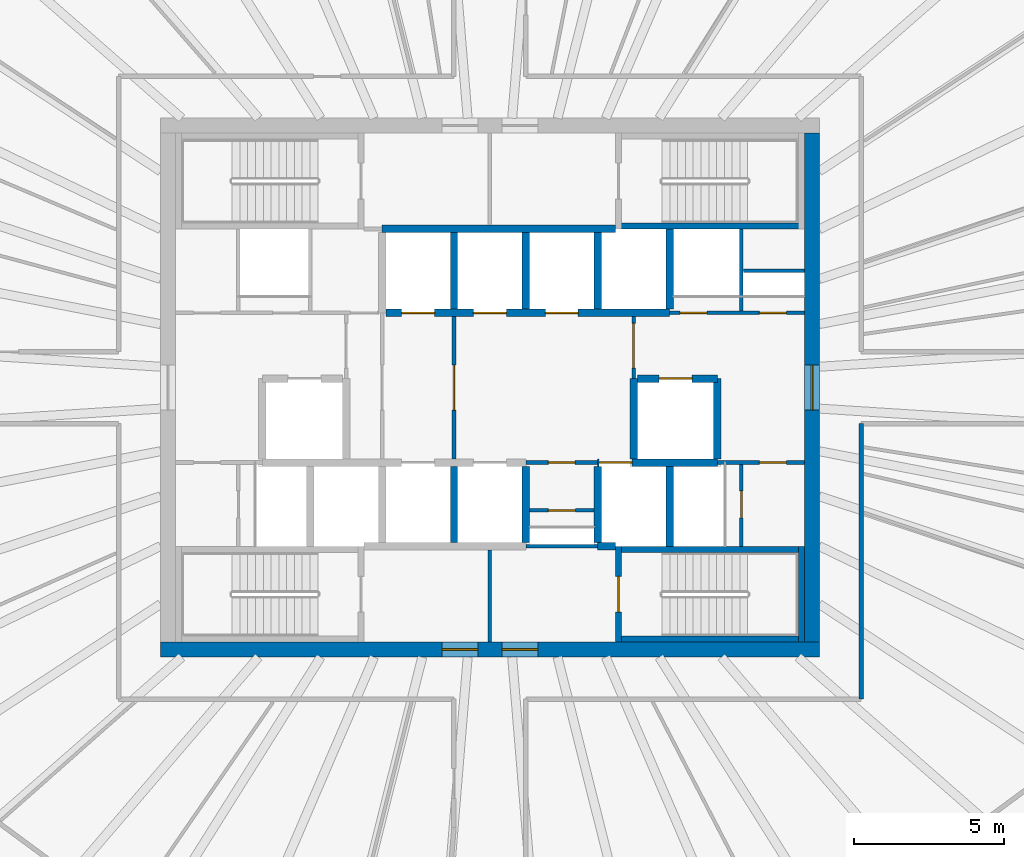
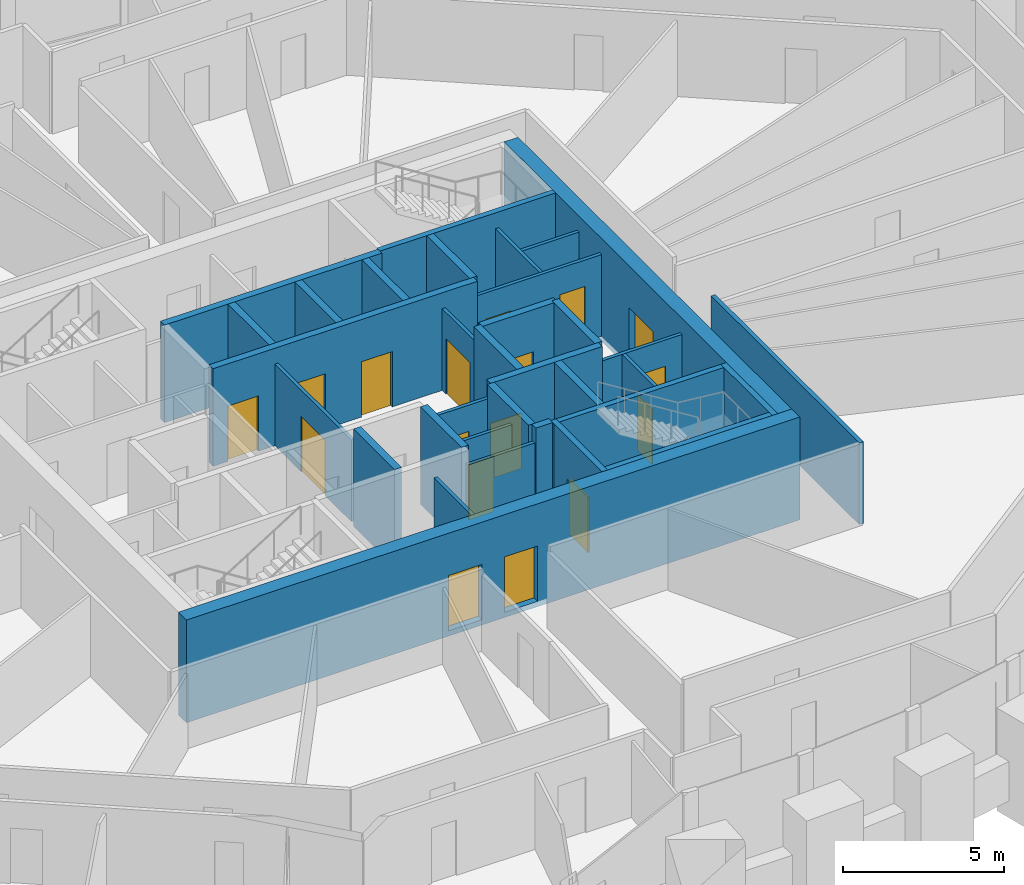
# One storey, part 8 of 12: 34 walls, 17 doors, 17 openings.
"""IFC4 building model written with IfcOpenShell, lengths in metres."""

from ifc_helpers import new_model, si_unit, direction, frame, frame_2d, origin, place, context, subcontext, project, spatial, rectangle, extrude, source, transform, mapped, material, layer, layer_set, type_object, element, fill, save


model = new_model("IFC4")

# Units and contexts
model_context = context("Model", 3, precision=1e-05, world=origin(), true_north=direction((0.0, 1.0)))
body_context = subcontext(model_context, "Body", "Model", "MODEL_VIEW")
ifc_project = project(units=[si_unit("LENGTHUNIT", "METRE"), si_unit("AREAUNIT", "SQUARE_METRE"), si_unit("VOLUMEUNIT", "CUBIC_METRE"), si_unit("PLANEANGLEUNIT", "RADIAN"), si_unit("MASSUNIT", "GRAM", prefix="KILO")], contexts=[model_context])

# Site, building, storey
site_placement = place(None, origin())
site = spatial("IfcSite", under=ifc_project, at=site_placement, CompositionType="ELEMENT")
building_placement = place(site_placement, origin())
building = spatial("IfcBuilding", under=site, at=building_placement, Name="Embergate Tower", CompositionType="ELEMENT")
storey_placement = place(building_placement, frame((0.0, 0.0, 250.0)))
storey = spatial("IfcBuildingStorey", under=building, at=storey_placement, Name="L57", CompositionType="ELEMENT", Elevation=250.0)

# Wall, openings, doors
ifc_material_1 = material(Name="Concrete C50", Category="concrete")
ifc_layer_1 = layer(ifc_material_1, 0.5)
ifc_layer_set_1 = layer_set([ifc_layer_1], Name="Concrete C50")
wall_type_1 = type_object("IfcWallType", Name="Core outer wall C50 500", PredefinedType="SHEAR", material=ifc_layer_set_1)
shared_shape_1 = source(origin(), body_context, "Body", "SweptSolid", [
    extrude(rectangle(XDim=22.0, YDim=0.5, at=frame_2d((11.0, 0.0))), origin(), (0.0, 0.0, 1.0), 3.89990234375),
])
wall_1_placement = place(storey_placement, frame((-11.0, -8.75, -0.199951171875), z_axis=(0.0, 0.0, 1.0), x_axis=(1.0, 0.0, 0.0)))
wall_1 = element("IfcWall", 1, at=wall_1_placement, inside=storey, type_object=wall_type_1, Name="CW-L57-S", PredefinedType="SHEAR", context=body_context, shape_type="MappedRepresentation", body=[
    mapped(shared_shape_1, transform((0.0, 0.0, 0.0))),
])
shared_shape_2 = source(origin(), body_context, "Body", "SweptSolid", [
    extrude(rectangle(XDim=1.199951171875, YDim=2.10009765625, at=frame_2d((0.60009765625, 1.050048828125))), frame((0.0, 0.260009765625, 0.0), z_axis=(0.0, -1.0, 0.0), x_axis=(1.0, 0.0, 0.0)), (0.0, 0.0, 1.0), 0.52001953125),
])
opening_1_placement = place(wall_1_placement, frame((9.39990234375, 0.0, 0.199951171875)))
opening_1 = element("IfcOpeningElement", 2, at=opening_1_placement, cuts=wall_1, Name="Opening IF-1", PredefinedType="OPENING", context=body_context, shape_type="MappedRepresentation", body=[
    mapped(shared_shape_2, transform((0.0, 0.0, 0.0))),
])
opening_2_placement = place(wall_1_placement, frame((11.39990234375, 0.0, 0.199951171875)))
opening_2 = element("IfcOpeningElement", 3, at=opening_2_placement, cuts=wall_1, Name="Opening IF-1", PredefinedType="OPENING", context=body_context, shape_type="MappedRepresentation", body=[
    mapped(shared_shape_2, transform((0.0, 0.0, 0.0))),
])
ifc_material_2 = material(Name="Escape fire door 1200")
door_type_1 = type_object("IfcDoorType", Name="Escape fire door 1200", OperationType="SINGLE_SWING_LEFT", PredefinedType="DOOR", material=ifc_material_2)
shared_shape_3 = source(origin(), body_context, "Body", "SweptSolid", [
    extrude(rectangle(XDim=1.199951171875, YDim=2.10009765625, at=frame_2d((0.60009765625, 1.050048828125))), frame((0.0, 0.02490234375, 0.0), z_axis=(0.0, -1.0, 0.0), x_axis=(1.0, 0.0, 0.0)), (0.0, 0.0, 1.0), 0.050048828125),
])
door_1_placement = place(opening_1_placement, origin())
door_1 = element("IfcDoor", 4, at=door_1_placement, inside=storey, type_object=door_type_1, Name="IF-1 door", OperationType="SINGLE_SWING_RIGHT", OverallHeight=2.10009765625, OverallWidth=1.199951171875, PredefinedType="DOOR", context=body_context, shape_type="MappedRepresentation", body=[
    mapped(shared_shape_3, transform((0.0, 0.0, 0.0))),
])
fill(opening_1, door_1)
door_2_placement = place(opening_2_placement, origin())
door_2 = element("IfcDoor", 5, at=door_2_placement, inside=storey, type_object=door_type_1, Name="IF-1 door", OperationType="SINGLE_SWING_LEFT", OverallHeight=2.10009765625, OverallWidth=1.199951171875, PredefinedType="DOOR", context=body_context, shape_type="MappedRepresentation", body=[
    mapped(shared_shape_3, transform((0.0, 0.0, 0.0))),
])
fill(opening_2, door_2)

# Wall, opening, door
shared_shape_4 = source(origin(), body_context, "Body", "SweptSolid", [
    extrude(rectangle(XDim=17.0, YDim=0.5, at=frame_2d((8.5, 0.0))), origin(), (0.0, 0.0, 1.0), 3.89990234375),
])
wall_2_placement = place(storey_placement, frame((10.75, -8.5, -0.199951171875), z_axis=(0.0, 0.0, 1.0), x_axis=(0.0, 1.0, 0.0)))
wall_2 = element("IfcWall", 6, at=wall_2_placement, inside=storey, type_object=wall_type_1, Name="CW-L57-E", PredefinedType="SHEAR", context=body_context, shape_type="MappedRepresentation", body=[
    mapped(shared_shape_4, transform((0.0, 0.0, 0.0))),
])
shared_shape_5 = source(origin(), body_context, "Body", "SweptSolid", [
    extrude(rectangle(XDim=1.5, YDim=2.10009765625, at=frame_2d((0.75, 1.050048828125))), frame((0.0, 0.260009765625, 0.0), z_axis=(0.0, -1.0, 0.0), x_axis=(1.0, 0.0, 0.0)), (0.0, 0.0, 1.0), 0.52001953125),
])
opening_3_placement = place(wall_2_placement, frame((7.75, 0.0, 0.199951171875)))
opening_3 = element("IfcOpeningElement", 7, at=opening_3_placement, cuts=wall_2, Name="Opening IF-3", PredefinedType="OPENING", context=body_context, shape_type="MappedRepresentation", body=[
    mapped(shared_shape_5, transform((0.0, 0.0, 0.0))),
])
ifc_material_3 = material(Name="Lobby fire door pair 1500")
door_type_2 = type_object("IfcDoorType", Name="Lobby fire door pair 1500", OperationType="DOUBLE_DOOR_SINGLE_SWING", PredefinedType="DOOR", material=ifc_material_3)
shared_shape_6 = source(origin(), body_context, "Body", "SweptSolid", [
    extrude(rectangle(XDim=1.5, YDim=2.10009765625, at=frame_2d((0.75, 1.050048828125))), frame((0.0, 0.02490234375, 0.0), z_axis=(0.0, -1.0, 0.0), x_axis=(1.0, 0.0, 0.0)), (0.0, 0.0, 1.0), 0.050048828125),
])
door_3_placement = place(opening_3_placement, origin())
door_3 = element("IfcDoor", 8, at=door_3_placement, inside=storey, type_object=door_type_2, Name="IF-3 door", OperationType="DOUBLE_DOOR_SINGLE_SWING", OverallHeight=2.10009765625, OverallWidth=1.5, PredefinedType="DOOR", context=body_context, shape_type="MappedRepresentation", body=[
    mapped(shared_shape_6, transform((0.0, 0.0, 0.0))),
])
fill(opening_3, door_3)

# Walls
ifc_layer_2 = layer(ifc_material_1, 0.25)
ifc_layer_set_2 = layer_set([ifc_layer_2], Name="Concrete C50")
wall_type_2 = type_object("IfcWallType", Name="Hoistway wall reinforced concrete 250", PredefinedType="SHEAR", material=ifc_layer_set_2)
shared_shape_7 = source(origin(), body_context, "Body", "SweptSolid", [
    extrude(rectangle(XDim=2.675048828125, YDim=0.25, at=frame_2d((1.33740234375, 0.0))), origin(), (0.0, 0.0, 1.0), 3.699951171875),
])
for number, where, z_axis, x_axis, name in (
    (9, (6.0, 2.625, 0.0), (0.0, 0.0, 1.0), (0.0, 1.0, 0.0), "HW-1 wall"),
    (10, (6.0, -5.300048828125, 0.0), (0.0, 0.0, 1.0), (0.0, 1.0, 0.0), "HW-1 wall"),
    (11, (4.800048828125, -2.375, 0.0), (0.0, 0.0, 1.0), (0.0, 1.0, 0.0), "HW-1 wall"),
):
    element("IfcWall", number, at=place(storey_placement, frame(where, z_axis=z_axis, x_axis=x_axis)), inside=storey, type_object=wall_type_2, Name=name, PredefinedType="SHEAR", context=body_context, shape_type="MappedRepresentation", body=[
        mapped(shared_shape_7, transform((0.0, 0.0, 0.0))),
    ])

# Wall, opening, door
wall_3_placement = place(storey_placement, frame((7.60009765625, 0.300048828125, 0.0), z_axis=(0.0, 0.0, 1.0), x_axis=(-1.0, 0.0, 0.0)))
wall_3 = element("IfcWall", 12, at=wall_3_placement, inside=storey, type_object=wall_type_2, Name="HW-1 wall", PredefinedType="SHEAR", context=body_context, shape_type="MappedRepresentation", body=[
    mapped(shared_shape_7, transform((0.0, 0.0, 0.0))),
])
shared_shape_8 = source(origin(), body_context, "Body", "SweptSolid", [
    extrude(rectangle(XDim=1.10009765625, YDim=2.10009765625, at=frame_2d((0.550048828125, 1.050048828125))), frame((0.0, 0.135009765625, 0.0), z_axis=(0.0, -1.0, 0.0), x_axis=(1.0, 0.0, 0.0)), (0.0, 0.0, 1.0), 0.27001953125),
])
opening_4_placement = place(wall_3_placement, frame((0.85009765625, 0.0, 0.0)))
opening_4 = element("IfcOpeningElement", 13, at=opening_4_placement, cuts=wall_3, Name="Opening LD", PredefinedType="OPENING", context=body_context, shape_type="MappedRepresentation", body=[
    mapped(shared_shape_8, transform((0.0, 0.0, 0.0))),
])
ifc_material_4 = material(Name="Landing door sliding 1100")
door_type_3 = type_object("IfcDoorType", Name="Landing door sliding 1100", OperationType="SLIDING_TO_LEFT", PredefinedType="DOOR", material=ifc_material_4)
shared_shape_9 = source(origin(), body_context, "Body", "SweptSolid", [
    extrude(rectangle(XDim=1.10009765625, YDim=2.10009765625, at=frame_2d((0.550048828125, 1.050048828125))), frame((0.0, 0.02490234375, 0.0), z_axis=(0.0, -1.0, 0.0), x_axis=(1.0, 0.0, 0.0)), (0.0, 0.0, 1.0), 0.050048828125),
])
door_4_placement = place(opening_4_placement, origin())
door_4 = element("IfcDoor", 14, at=door_4_placement, inside=storey, type_object=door_type_3, Name="LD door", OperationType="SLIDING_TO_RIGHT", OverallHeight=2.10009765625, OverallWidth=1.10009765625, PredefinedType="DOOR", context=body_context, shape_type="MappedRepresentation", body=[
    mapped(shared_shape_9, transform((0.0, 0.0, 0.0))),
])
fill(opening_4, door_4)

# Walls
wall_4_placement = place(storey_placement, frame((7.60009765625, -2.375, 0.0), z_axis=(0.0, 0.0, 1.0), x_axis=(0.0, 1.0, 0.0)))
element("IfcWall", 15, at=wall_4_placement, inside=storey, type_object=wall_type_2, Name="HW-1 wall", PredefinedType="SHEAR", context=body_context, shape_type="MappedRepresentation", body=[
    mapped(shared_shape_7, transform((0.0, 0.0, 0.0))),
])
ifc_layer_3 = layer(ifc_material_1, 0.199951171875)
ifc_layer_set_3 = layer_set([ifc_layer_3], Name="Concrete C50")
wall_type_3 = type_object("IfcWallType", Name="Stair enclosure wall reinforced concrete 250", PredefinedType="SHEAR", material=ifc_layer_set_3)
shared_shape_10 = source(origin(), body_context, "Body", "SweptSolid", [
    extrude(rectangle(XDim=6.300048828125, YDim=0.199951171875, at=frame_2d((3.14990234375, 0.0))), origin(), (0.0, 0.0, 1.0), 3.699951171875),
])
for number, where, z_axis, x_axis, name in (
    (16, (10.5, 5.39990234375, 0.0), (0.0, 0.0, 1.0), (-1.0, 0.0, 0.0), "SE-1 wall"),
    (17, (4.199951171875, -5.39990234375, 0.0), (0.0, 0.0, 1.0), (1.0, 0.0, 0.0), "SE-1 wall"),
):
    element("IfcWall", number, at=place(storey_placement, frame(where, z_axis=z_axis, x_axis=x_axis)), inside=storey, type_object=wall_type_3, Name=name, PredefinedType="SHEAR", context=body_context, shape_type="MappedRepresentation", body=[
        mapped(shared_shape_10, transform((0.0, 0.0, 0.0))),
    ])

# Wall, opening, door
ifc_material_5 = material(Name="Core partition blockwork 120")
ifc_layer_4 = layer(ifc_material_5, 0.1201171875)
ifc_layer_set_4 = layer_set([ifc_layer_4], Name="Core partition blockwork 120")
wall_type_4 = type_object("IfcWallType", Name="Core partition blockwork 120", PredefinedType="PARTITIONING", material=ifc_layer_set_4)
shared_shape_11 = source(origin(), body_context, "Body", "SweptSolid", [
    extrude(rectangle(XDim=2.739990234375, YDim=0.1201171875, at=frame_2d((1.3701171875, 0.0))), origin(), (0.0, 0.0, 1.0), 3.10009765625),
])
wall_5_placement = place(storey_placement, frame((8.39990234375, -5.300048828125, 0.0), z_axis=(0.0, 0.0, 1.0), x_axis=(0.0, 1.0, 0.0)))
wall_5 = element("IfcWall", 18, at=wall_5_placement, inside=storey, type_object=wall_type_4, Name="IP-3 wall", PredefinedType="PARTITIONING", context=body_context, shape_type="MappedRepresentation", body=[
    mapped(shared_shape_11, transform((0.0, 0.0, 0.0))),
])
shared_shape_12 = source(origin(), body_context, "Body", "SweptSolid", [
    extrude(rectangle(XDim=0.89990234375, YDim=2.10009765625, at=frame_2d((0.449951171875, 1.050048828125))), frame((0.0, 0.070068359375, 0.0), z_axis=(0.0, -1.0, 0.0), x_axis=(1.0, 0.0, 0.0)), (0.0, 0.0, 1.0), 0.14013671875),
])
opening_5_placement = place(wall_5_placement, frame((0.949951171875, 0.0, 0.0)))
opening_5 = element("IfcOpeningElement", 19, at=opening_5_placement, cuts=wall_5, Name="Opening ID-1", PredefinedType="OPENING", context=body_context, shape_type="MappedRepresentation", body=[
    mapped(shared_shape_12, transform((0.0, 0.0, 0.0))),
])
ifc_material_6 = material(Name="Interior door 900")
door_type_4 = type_object("IfcDoorType", Name="Interior door 900", OperationType="SINGLE_SWING_LEFT", PredefinedType="DOOR", material=ifc_material_6)
shared_shape_13 = source(origin(), body_context, "Body", "SweptSolid", [
    extrude(rectangle(XDim=0.89990234375, YDim=2.10009765625, at=frame_2d((0.449951171875, 1.050048828125))), frame((0.0, 0.02490234375, 0.0), z_axis=(0.0, -1.0, 0.0), x_axis=(1.0, 0.0, 0.0)), (0.0, 0.0, 1.0), 0.050048828125),
])
door_5_placement = place(opening_5_placement, origin())
door_5 = element("IfcDoor", 20, at=door_5_placement, inside=storey, type_object=door_type_4, Name="ID-1 door", OperationType="SINGLE_SWING_LEFT", OverallHeight=2.10009765625, OverallWidth=0.89990234375, PredefinedType="DOOR", context=body_context, shape_type="MappedRepresentation", body=[
    mapped(shared_shape_13, transform((0.0, 0.0, 0.0))),
])
fill(opening_5, door_5)

# Walls
shared_shape_14 = source(origin(), body_context, "Body", "SweptSolid", [
    extrude(rectangle(XDim=2.550048828125, YDim=0.25, at=frame_2d((1.27490234375, 0.0))), origin(), (0.0, 0.0, 1.0), 3.699951171875),
])
for number, where, z_axis, x_axis, name in (
    (21, (-1.199951171875, 2.625, 0.0), (0.0, 0.0, 1.0), (0.0, 1.0, 0.0), "HW-1 wall"),
    (22, (1.199951171875, 2.625, 0.0), (0.0, 0.0, 1.0), (0.0, 1.0, 0.0), "HW-1 wall"),
    (23, (3.60009765625, 2.625, 0.0), (0.0, 0.0, 1.0), (0.0, 1.0, 0.0), "HW-1 wall"),
    (24, (-1.199951171875, -5.175048828125, 0.0), (0.0, 0.0, 1.0), (0.0, 1.0, 0.0), "HW-1 wall"),
    (25, (1.199951171875, -5.175048828125, 0.0), (0.0, 0.0, 1.0), (0.0, 1.0, 0.0), "HW-1 wall"),
    (26, (3.60009765625, -2.625, 0.0), (0.0, 0.0, 1.0), (0.0, -1.0, 0.0), "HW-1 wall"),
):
    element("IfcWall", number, at=place(storey_placement, frame(where, z_axis=z_axis, x_axis=x_axis)), inside=storey, type_object=wall_type_2, Name=name, PredefinedType="SHEAR", context=body_context, shape_type="MappedRepresentation", body=[
        mapped(shared_shape_14, transform((0.0, 0.0, 0.0))),
    ])

# Wall, opening, door
shared_shape_15 = source(origin(), body_context, "Body", "SweptSolid", [
    extrude(rectangle(XDim=4.75, YDim=0.1201171875, at=frame_2d((2.375, 0.0))), origin(), (0.0, 0.0, 1.0), 3.10009765625),
])
wall_6_placement = place(storey_placement, frame((-1.199951171875, -2.375, 0.0), z_axis=(0.0, 0.0, 1.0), x_axis=(0.0, 1.0, 0.0)))
wall_6 = element("IfcWall", 27, at=wall_6_placement, inside=storey, type_object=wall_type_4, Name="IP-3 wall", PredefinedType="PARTITIONING", context=body_context, shape_type="MappedRepresentation", body=[
    mapped(shared_shape_15, transform((0.0, 0.0, 0.0))),
])
shared_shape_16 = source(origin(), body_context, "Body", "SweptSolid", [
    extrude(rectangle(XDim=1.5, YDim=2.10009765625, at=frame_2d((0.75, 1.050048828125))), frame((0.0, 0.070068359375, 0.0), z_axis=(0.0, -1.0, 0.0), x_axis=(1.0, 0.0, 0.0)), (0.0, 0.0, 1.0), 0.14013671875),
])
opening_6_placement = place(wall_6_placement, frame((1.625, 0.0, 0.0)))
opening_6 = element("IfcOpeningElement", 28, at=opening_6_placement, cuts=wall_6, Name="Opening IF-3", PredefinedType="OPENING", context=body_context, shape_type="MappedRepresentation", body=[
    mapped(shared_shape_16, transform((0.0, 0.0, 0.0))),
])
door_6_placement = place(opening_6_placement, origin())
door_6 = element("IfcDoor", 29, at=door_6_placement, inside=storey, type_object=door_type_2, Name="IF-3 door", OperationType="DOUBLE_DOOR_SINGLE_SWING", OverallHeight=2.10009765625, OverallWidth=1.5, PredefinedType="DOOR", context=body_context, shape_type="MappedRepresentation", body=[
    mapped(shared_shape_6, transform((0.0, 0.0, 0.0))),
])
fill(opening_6, door_6)

shared_shape_17 = source(origin(), body_context, "Body", "SweptSolid", [
    extrude(rectangle(XDim=2.074951171875, YDim=0.1201171875, at=frame_2d((1.03759765625, 0.0))), origin(), (0.0, 0.0, 1.0), 3.10009765625),
])
wall_7_placement = place(storey_placement, frame((4.800048828125, 0.300048828125, 0.0), z_axis=(0.0, 0.0, 1.0), x_axis=(0.0, 1.0, 0.0)))
wall_7 = element("IfcWall", 30, at=wall_7_placement, inside=storey, type_object=wall_type_4, Name="IP-3 wall", PredefinedType="PARTITIONING", context=body_context, shape_type="MappedRepresentation", body=[
    mapped(shared_shape_17, transform((0.0, 0.0, 0.0))),
])
opening_7_placement = place(wall_7_placement, frame((0.35009765625, 0.0, 0.0)))
opening_7 = element("IfcOpeningElement", 31, at=opening_7_placement, cuts=wall_7, Name="Opening IF-3", PredefinedType="OPENING", context=body_context, shape_type="MappedRepresentation", body=[
    mapped(shared_shape_16, transform((0.0, 0.0, 0.0))),
])
door_7_placement = place(opening_7_placement, origin())
door_7 = element("IfcDoor", 32, at=door_7_placement, inside=storey, type_object=door_type_2, Name="IF-3 door", OperationType="DOUBLE_DOOR_SINGLE_SWING", OverallHeight=2.10009765625, OverallWidth=1.5, PredefinedType="DOOR", context=body_context, shape_type="MappedRepresentation", body=[
    mapped(shared_shape_6, transform((0.0, 0.0, 0.0))),
])
fill(opening_7, door_7)

shared_shape_18 = source(origin(), body_context, "Body", "SweptSolid", [
    extrude(rectangle(XDim=3.199951171875, YDim=0.199951171875, at=frame_2d((1.60009765625, 0.0))), origin(), (0.0, 0.0, 1.0), 3.699951171875),
])
wall_8_placement = place(storey_placement, frame((4.300048828125, -5.300048828125, 0.0), z_axis=(0.0, 0.0, 1.0), x_axis=(0.0, -1.0, 0.0)))
wall_8 = element("IfcWall", 33, at=wall_8_placement, inside=storey, type_object=wall_type_3, Name="SE-1 wall", PredefinedType="SHEAR", context=body_context, shape_type="MappedRepresentation", body=[
    mapped(shared_shape_18, transform((0.0, 0.0, 0.0))),
])
shared_shape_19 = source(origin(), body_context, "Body", "SweptSolid", [
    extrude(rectangle(XDim=1.199951171875, YDim=2.10009765625, at=frame_2d((0.60009765625, 1.050048828125))), frame((0.0, 0.10986328125, 0.0), z_axis=(0.0, -1.0, 0.0), x_axis=(1.0, 0.0, 0.0)), (0.0, 0.0, 1.0), 0.219970703125),
])
opening_8_placement = place(wall_8_placement, frame((1.0, 0.0, 0.0)))
opening_8 = element("IfcOpeningElement", 34, at=opening_8_placement, cuts=wall_8, Name="Opening IF-2", PredefinedType="OPENING", context=body_context, shape_type="MappedRepresentation", body=[
    mapped(shared_shape_19, transform((0.0, 0.0, 0.0))),
])
ifc_material_7 = material(Name="Stair enclosure door 1200")
door_type_5 = type_object("IfcDoorType", Name="Stair enclosure door 1200", OperationType="SINGLE_SWING_LEFT", PredefinedType="DOOR", material=ifc_material_7)
door_8_placement = place(opening_8_placement, origin())
door_8 = element("IfcDoor", 35, at=door_8_placement, inside=storey, type_object=door_type_5, Name="IF-2 door", OperationType="SINGLE_SWING_LEFT", OverallHeight=2.10009765625, OverallWidth=1.199951171875, PredefinedType="DOOR", context=body_context, shape_type="MappedRepresentation", body=[
    mapped(shared_shape_3, transform((0.0, 0.0, 0.0))),
])
fill(opening_8, door_8)

# Wall
shared_shape_20 = source(origin(), body_context, "Body", "SweptSolid", [
    extrude(rectangle(XDim=0.599853515625, YDim=0.25, at=frame_2d((0.2998046875, 0.0))), origin(), (0.0, 0.0, 1.0), 3.699951171875),
])
wall_9_placement = place(storey_placement, frame((3.60009765625, -5.300048828125, 0.0), z_axis=(0.0, 0.0, 1.0), x_axis=(1.0, 0.0, 0.0)))
element("IfcWall", 36, at=wall_9_placement, inside=storey, type_object=wall_type_2, Name="HW-1 wall", PredefinedType="SHEAR", context=body_context, shape_type="MappedRepresentation", body=[
    mapped(shared_shape_20, transform((0.0, 0.0, 0.0))),
])

# Wall, openings, doors
shared_shape_21 = source(origin(), body_context, "Body", "SweptSolid", [
    extrude(rectangle(XDim=9.47509765625, YDim=0.25, at=frame_2d((4.737548828125, 0.0))), origin(), (0.0, 0.0, 1.0), 3.699951171875),
])
wall_10_placement = place(storey_placement, frame((-3.47509765625, 2.5, 0.0), z_axis=(0.0, 0.0, 1.0), x_axis=(1.0, 0.0, 0.0)))
wall_10 = element("IfcWall", 37, at=wall_10_placement, inside=storey, type_object=wall_type_2, Name="HW-1 wall", PredefinedType="SHEAR", context=body_context, shape_type="MappedRepresentation", body=[
    mapped(shared_shape_21, transform((0.0, 0.0, 0.0))),
])
opening_9_placement = place(wall_10_placement, frame((0.52490234375, 0.0, 0.0)))
opening_9 = element("IfcOpeningElement", 38, at=opening_9_placement, cuts=wall_10, Name="Opening LD", PredefinedType="OPENING", context=body_context, shape_type="MappedRepresentation", body=[
    mapped(shared_shape_8, transform((0.0, 0.0, 0.0))),
])
opening_10_placement = place(wall_10_placement, frame((2.925048828125, 0.0, 0.0)))
opening_10 = element("IfcOpeningElement", 39, at=opening_10_placement, cuts=wall_10, Name="Opening LD", PredefinedType="OPENING", context=body_context, shape_type="MappedRepresentation", body=[
    mapped(shared_shape_8, transform((0.0, 0.0, 0.0))),
])
opening_11_placement = place(wall_10_placement, frame((5.324951171875, 0.0, 0.0)))
opening_11 = element("IfcOpeningElement", 40, at=opening_11_placement, cuts=wall_10, Name="Opening LD", PredefinedType="OPENING", context=body_context, shape_type="MappedRepresentation", body=[
    mapped(shared_shape_8, transform((0.0, 0.0, 0.0))),
])
door_9_placement = place(opening_9_placement, origin())
door_9 = element("IfcDoor", 41, at=door_9_placement, inside=storey, type_object=door_type_3, Name="LD door", OperationType="SLIDING_TO_RIGHT", OverallHeight=2.10009765625, OverallWidth=1.10009765625, PredefinedType="DOOR", context=body_context, shape_type="MappedRepresentation", body=[
    mapped(shared_shape_9, transform((0.0, 0.0, 0.0))),
])
fill(opening_9, door_9)
door_10_placement = place(opening_10_placement, origin())
door_10 = element("IfcDoor", 42, at=door_10_placement, inside=storey, type_object=door_type_3, Name="LD door", OperationType="SLIDING_TO_RIGHT", OverallHeight=2.10009765625, OverallWidth=1.10009765625, PredefinedType="DOOR", context=body_context, shape_type="MappedRepresentation", body=[
    mapped(shared_shape_9, transform((0.0, 0.0, 0.0))),
])
fill(opening_10, door_10)
door_11_placement = place(opening_11_placement, origin())
door_11 = element("IfcDoor", 43, at=door_11_placement, inside=storey, type_object=door_type_3, Name="LD door", OperationType="SLIDING_TO_LEFT", OverallHeight=2.10009765625, OverallWidth=1.10009765625, PredefinedType="DOOR", context=body_context, shape_type="MappedRepresentation", body=[
    mapped(shared_shape_9, transform((0.0, 0.0, 0.0))),
])
fill(opening_11, door_11)

# Wall
shared_shape_22 = source(origin(), body_context, "Body", "SweptSolid", [
    extrude(rectangle(XDim=7.800048828125, YDim=0.25, at=frame_2d((3.89990234375, 0.0))), origin(), (0.0, 0.0, 1.0), 3.699951171875),
])
wall_11_placement = place(storey_placement, frame((4.199951171875, 5.300048828125, 0.0), z_axis=(0.0, 0.0, 1.0), x_axis=(-1.0, 0.0, 0.0)))
element("IfcWall", 44, at=wall_11_placement, inside=storey, type_object=wall_type_2, Name="HW-1 wall", PredefinedType="SHEAR", context=body_context, shape_type="MappedRepresentation", body=[
    mapped(shared_shape_22, transform((0.0, 0.0, 0.0))),
])

# Wall, opening, door
shared_shape_23 = source(origin(), body_context, "Body", "SweptSolid", [
    extrude(rectangle(XDim=4.0, YDim=0.25, at=frame_2d((2.0, 0.0))), origin(), (0.0, 0.0, 1.0), 3.699951171875),
])
wall_12_placement = place(storey_placement, frame((7.60009765625, -2.5, 0.0), z_axis=(0.0, 0.0, 1.0), x_axis=(-1.0, 0.0, 0.0)))
wall_12 = element("IfcWall", 45, at=wall_12_placement, inside=storey, type_object=wall_type_2, Name="HW-1 wall", PredefinedType="SHEAR", context=body_context, shape_type="MappedRepresentation", body=[
    mapped(shared_shape_23, transform((0.0, 0.0, 0.0))),
])
opening_12_placement = place(wall_12_placement, frame((2.85009765625, 0.0, 0.0)))
opening_12 = element("IfcOpeningElement", 46, at=opening_12_placement, cuts=wall_12, Name="Opening LD", PredefinedType="OPENING", context=body_context, shape_type="MappedRepresentation", body=[
    mapped(shared_shape_8, transform((0.0, 0.0, 0.0))),
])
door_12_placement = place(opening_12_placement, origin())
door_12 = element("IfcDoor", 47, at=door_12_placement, inside=storey, type_object=door_type_3, Name="LD door", OperationType="SLIDING_TO_RIGHT", OverallHeight=2.10009765625, OverallWidth=1.10009765625, PredefinedType="DOOR", context=body_context, shape_type="MappedRepresentation", body=[
    mapped(shared_shape_9, transform((0.0, 0.0, 0.0))),
])
fill(opening_12, door_12)

# Walls
shared_shape_24 = source(origin(), body_context, "Body", "SweptSolid", [
    extrude(rectangle(XDim=6.298095703125, YDim=0.199951171875, at=frame_2d((3.14892578125, 0.0))), origin(), (0.0, 0.0, 1.0), 3.699951171875),
])
wall_13_placement = place(storey_placement, frame((4.201904296875, -8.39990234375, 0.0), z_axis=(0.0, 0.0, 1.0), x_axis=(1.0, 0.0, 0.0)))
element("IfcWall", 48, at=wall_13_placement, inside=storey, type_object=wall_type_3, Name="SE-1 wall", PredefinedType="SHEAR", context=body_context, shape_type="MappedRepresentation", body=[
    mapped(shared_shape_24, transform((0.0, 0.0, 0.0))),
])
shared_shape_25 = source(origin(), body_context, "Body", "SweptSolid", [
    extrude(rectangle(XDim=3.197998046875, YDim=0.199951171875, at=frame_2d((1.59912109375, 0.0))), origin(), (0.0, 0.0, 1.0), 3.699951171875),
])
wall_14_placement = place(storey_placement, frame((10.39990234375, -8.5, 0.0), z_axis=(0.0, 0.0, 1.0), x_axis=(0.0, 1.0, 0.0)))
element("IfcWall", 49, at=wall_14_placement, inside=storey, type_object=wall_type_3, Name="SE-1 wall", PredefinedType="SHEAR", context=body_context, shape_type="MappedRepresentation", body=[
    mapped(shared_shape_25, transform((0.0, 0.0, 0.0))),
])
ifc_material_8 = material(Name="Corridor wall dry-lined 150")
ifc_layer_5 = layer(ifc_material_8, 0.14990234375)
ifc_layer_set_5 = layer_set([ifc_layer_5], Name="Corridor wall dry-lined 150")
wall_type_5 = type_object("IfcWallType", Name="Corridor wall dry-lined 150", PredefinedType="PARTITIONING", material=ifc_layer_set_5)
shared_shape_26 = source(origin(), body_context, "Body", "SweptSolid", [
    extrude(rectangle(XDim=9.199951171875, YDim=0.14990234375, at=frame_2d((4.60009765625, 0.0))), origin(), (0.0, 0.0, 1.0), 3.10009765625),
])
wall_15_placement = place(storey_placement, frame((12.39990234375, -1.199951171875, 0.0), z_axis=(0.0, 0.0, 1.0), x_axis=(0.0, -1.0, 0.0)))
element("IfcWall", 50, at=wall_15_placement, inside=storey, type_object=wall_type_5, Name="IP-2 wall", PredefinedType="PARTITIONING", context=body_context, shape_type="MappedRepresentation", body=[
    mapped(shared_shape_26, transform((0.0, 0.0, 0.0))),
])

# Wall, openings, doors
shared_shape_27 = source(origin(), body_context, "Body", "SweptSolid", [
    extrude(rectangle(XDim=4.5, YDim=0.1201171875, at=frame_2d((2.25, 0.0))), origin(), (0.0, 0.0, 1.0), 3.10009765625),
])
wall_16_placement = place(storey_placement, frame((6.0, 2.5, 0.0), z_axis=(0.0, 0.0, 1.0), x_axis=(1.0, 0.0, 0.0)))
wall_16 = element("IfcWall", 51, at=wall_16_placement, inside=storey, type_object=wall_type_4, Name="IP-3 wall", PredefinedType="PARTITIONING", context=body_context, shape_type="MappedRepresentation", body=[
    mapped(shared_shape_27, transform((0.0, 0.0, 0.0))),
])
opening_13_placement = place(wall_16_placement, frame((0.35009765625, 0.0, 0.0)))
opening_13 = element("IfcOpeningElement", 52, at=opening_13_placement, cuts=wall_16, Name="Opening ID-1", PredefinedType="OPENING", context=body_context, shape_type="MappedRepresentation", body=[
    mapped(shared_shape_12, transform((0.0, 0.0, 0.0))),
])
opening_14_placement = place(wall_16_placement, frame((3.0, 0.0, 0.0)))
opening_14 = element("IfcOpeningElement", 53, at=opening_14_placement, cuts=wall_16, Name="Opening ID-1", PredefinedType="OPENING", context=body_context, shape_type="MappedRepresentation", body=[
    mapped(shared_shape_12, transform((0.0, 0.0, 0.0))),
])
door_13_placement = place(opening_13_placement, origin())
door_13 = element("IfcDoor", 54, at=door_13_placement, inside=storey, type_object=door_type_4, Name="ID-1 door", OperationType="SINGLE_SWING_LEFT", OverallHeight=2.10009765625, OverallWidth=0.89990234375, PredefinedType="DOOR", context=body_context, shape_type="MappedRepresentation", body=[
    mapped(shared_shape_13, transform((0.0, 0.0, 0.0))),
])
fill(opening_13, door_13)
door_14_placement = place(opening_14_placement, origin())
door_14 = element("IfcDoor", 55, at=door_14_placement, inside=storey, type_object=door_type_4, Name="ID-1 door", OperationType="SINGLE_SWING_RIGHT", OverallHeight=2.10009765625, OverallWidth=0.89990234375, PredefinedType="DOOR", context=body_context, shape_type="MappedRepresentation", body=[
    mapped(shared_shape_13, transform((0.0, 0.0, 0.0))),
])
fill(opening_14, door_14)

# Wall
shared_shape_28 = source(origin(), body_context, "Body", "SweptSolid", [
    extrude(rectangle(XDim=2.738037109375, YDim=0.1201171875, at=frame_2d((1.369140625, 0.0))), origin(), (0.0, 0.0, 1.0), 3.10009765625),
])
wall_17_placement = place(storey_placement, frame((8.39990234375, 2.56005859375, 0.0), z_axis=(0.0, 0.0, 1.0), x_axis=(0.0, 1.0, 0.0)))
element("IfcWall", 56, at=wall_17_placement, inside=storey, type_object=wall_type_4, Name="IP-3 wall", PredefinedType="PARTITIONING", context=body_context, shape_type="MappedRepresentation", body=[
    mapped(shared_shape_28, transform((0.0, 0.0, 0.0))),
])

# Wall, opening, door
shared_shape_29 = source(origin(), body_context, "Body", "SweptSolid", [
    extrude(rectangle(XDim=2.89990234375, YDim=0.1201171875, at=frame_2d((1.449951171875, 0.0))), origin(), (0.0, 0.0, 1.0), 3.10009765625),
])
wall_18_placement = place(storey_placement, frame((10.5, -2.5, 0.0), z_axis=(0.0, 0.0, 1.0), x_axis=(-1.0, 0.0, 0.0)))
wall_18 = element("IfcWall", 57, at=wall_18_placement, inside=storey, type_object=wall_type_4, Name="IP-3 wall", PredefinedType="PARTITIONING", context=body_context, shape_type="MappedRepresentation", body=[
    mapped(shared_shape_29, transform((0.0, 0.0, 0.0))),
])
opening_15_placement = place(wall_18_placement, frame((0.60009765625, 0.0, 0.0)))
opening_15 = element("IfcOpeningElement", 58, at=opening_15_placement, cuts=wall_18, Name="Opening ID-1", PredefinedType="OPENING", context=body_context, shape_type="MappedRepresentation", body=[
    mapped(shared_shape_12, transform((0.0, 0.0, 0.0))),
])
door_15_placement = place(opening_15_placement, origin())
door_15 = element("IfcDoor", 59, at=door_15_placement, inside=storey, type_object=door_type_4, Name="ID-1 door", OperationType="SINGLE_SWING_LEFT", OverallHeight=2.10009765625, OverallWidth=0.89990234375, PredefinedType="DOOR", context=body_context, shape_type="MappedRepresentation", body=[
    mapped(shared_shape_13, transform((0.0, 0.0, 0.0))),
])
fill(opening_15, door_15)

shared_shape_30 = source(origin(), body_context, "Body", "SweptSolid", [
    extrude(rectangle(XDim=2.400146484375, YDim=0.1201171875, at=frame_2d((1.2001953125, 0.0))), origin(), (0.0, 0.0, 1.0), 3.10009765625),
])
wall_19_placement = place(storey_placement, frame((1.199951171875, -2.5, 0.0), z_axis=(0.0, 0.0, 1.0), x_axis=(1.0, 0.0, 0.0)))
wall_19 = element("IfcWall", 60, at=wall_19_placement, inside=storey, type_object=wall_type_4, Name="IP-3 wall", PredefinedType="PARTITIONING", context=body_context, shape_type="MappedRepresentation", body=[
    mapped(shared_shape_30, transform((0.0, 0.0, 0.0))),
])
opening_16_placement = place(wall_19_placement, frame((0.75, 0.0, 0.0)))
opening_16 = element("IfcOpeningElement", 61, at=opening_16_placement, cuts=wall_19, Name="Opening ID-1", PredefinedType="OPENING", context=body_context, shape_type="MappedRepresentation", body=[
    mapped(shared_shape_12, transform((0.0, 0.0, 0.0))),
])
door_16_placement = place(opening_16_placement, origin())
door_16 = element("IfcDoor", 62, at=door_16_placement, inside=storey, type_object=door_type_4, Name="ID-1 door", OperationType="SINGLE_SWING_RIGHT", OverallHeight=2.10009765625, OverallWidth=0.89990234375, PredefinedType="DOOR", context=body_context, shape_type="MappedRepresentation", body=[
    mapped(shared_shape_13, transform((0.0, 0.0, 0.0))),
])
fill(opening_16, door_16)

# Walls
wall_20_placement = place(storey_placement, frame((3.60009765625, -5.300048828125, 0.0), z_axis=(0.0, 0.0, 1.0), x_axis=(-1.0, 0.0, 0.0)))
element("IfcWall", 63, at=wall_20_placement, inside=storey, type_object=wall_type_4, Name="IP-3 wall", PredefinedType="PARTITIONING", context=body_context, shape_type="MappedRepresentation", body=[
    mapped(shared_shape_30, transform((0.0, 0.0, 0.0))),
])
shared_shape_31 = source(origin(), body_context, "Body", "SweptSolid", [
    extrude(rectangle(XDim=3.074951171875, YDim=0.1201171875, at=frame_2d((1.53759765625, 0.0))), origin(), (0.0, 0.0, 1.0), 3.10009765625),
])
wall_21_placement = place(storey_placement, frame((0.0, -8.5, 0.0), z_axis=(0.0, 0.0, 1.0), x_axis=(0.0, 1.0, 0.0)))
element("IfcWall", 64, at=wall_21_placement, inside=storey, type_object=wall_type_4, Name="IP-3 wall", PredefinedType="PARTITIONING", context=body_context, shape_type="MappedRepresentation", body=[
    mapped(shared_shape_31, transform((0.0, 0.0, 0.0))),
])

# Wall, opening, door
shared_shape_32 = source(origin(), body_context, "Body", "SweptSolid", [
    extrude(rectangle(XDim=2.150146484375, YDim=0.1201171875, at=frame_2d((1.0751953125, 0.0))), origin(), (0.0, 0.0, 1.0), 3.10009765625),
])
wall_22_placement = place(storey_placement, frame((3.47509765625, -4.095947265625, 0.0), z_axis=(0.0, 0.0, 1.0), x_axis=(-1.0, 0.0, 0.0)))
wall_22 = element("IfcWall", 65, at=wall_22_placement, inside=storey, type_object=wall_type_4, Name="IP-3 wall", PredefinedType="PARTITIONING", context=body_context, shape_type="MappedRepresentation", body=[
    mapped(shared_shape_32, transform((0.0, 0.0, 0.0))),
])
opening_17_placement = place(wall_22_placement, frame((0.625, 0.0, 0.0)))
opening_17 = element("IfcOpeningElement", 66, at=opening_17_placement, cuts=wall_22, Name="Opening ID-1", PredefinedType="OPENING", context=body_context, shape_type="MappedRepresentation", body=[
    mapped(shared_shape_12, transform((0.0, 0.0, 0.0))),
])
door_17_placement = place(opening_17_placement, origin())
door_17 = element("IfcDoor", 67, at=door_17_placement, inside=storey, type_object=door_type_4, Name="ID-1 door", OperationType="SINGLE_SWING_RIGHT", OverallHeight=2.10009765625, OverallWidth=0.89990234375, PredefinedType="DOOR", context=body_context, shape_type="MappedRepresentation", body=[
    mapped(shared_shape_13, transform((0.0, 0.0, 0.0))),
])
fill(opening_17, door_17)

# Wall
shared_shape_33 = source(origin(), body_context, "Body", "SweptSolid", [
    extrude(rectangle(XDim=2.0380859375, YDim=0.1201171875, at=frame_2d((1.01904296875, 0.0))), origin(), (0.0, 0.0, 1.0), 3.10009765625),
])
wall_23_placement = place(storey_placement, frame((10.5, 3.89990234375, 0.0), z_axis=(0.0, 0.0, 1.0), x_axis=(-1.0, 0.0, 0.0)))
element("IfcWall", 68, at=wall_23_placement, inside=storey, type_object=wall_type_4, Name="IP-3 wall", PredefinedType="PARTITIONING", context=body_context, shape_type="MappedRepresentation", body=[
    mapped(shared_shape_33, transform((0.0, 0.0, 0.0))),
])

save(model, "model.ifc")
